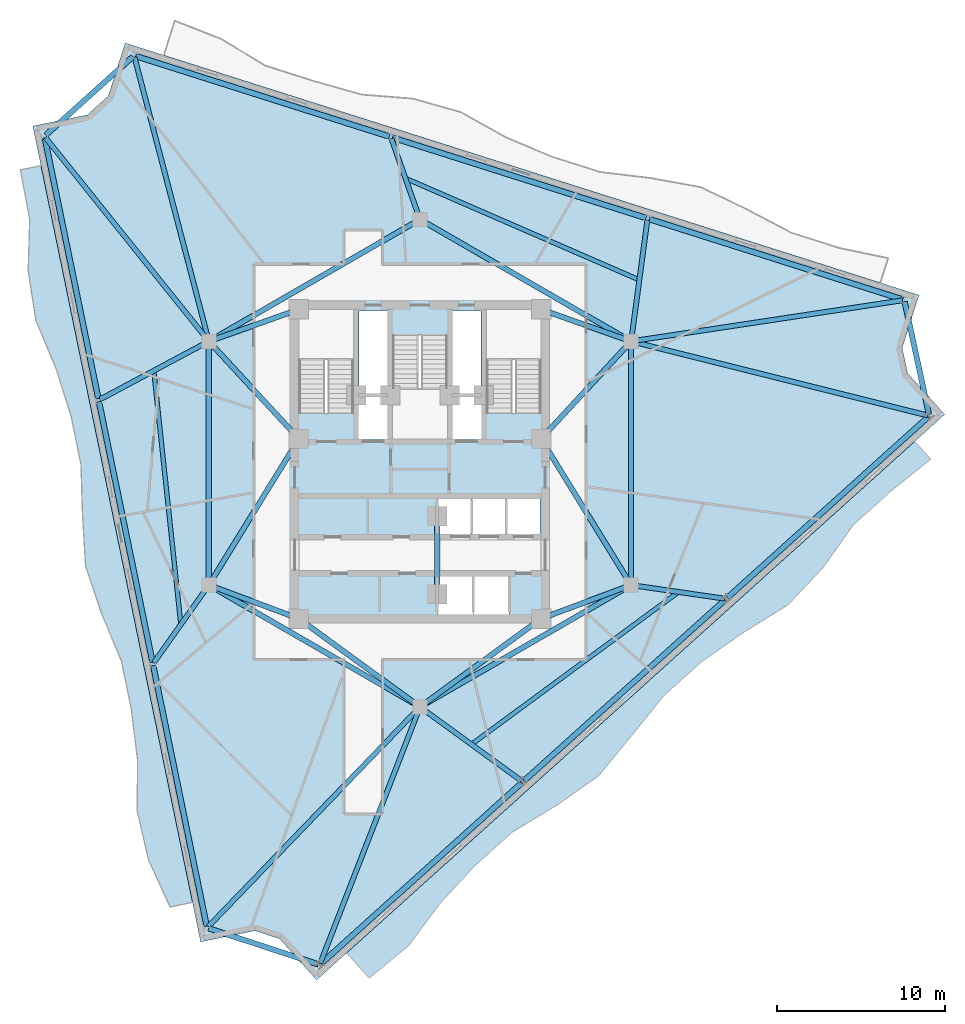
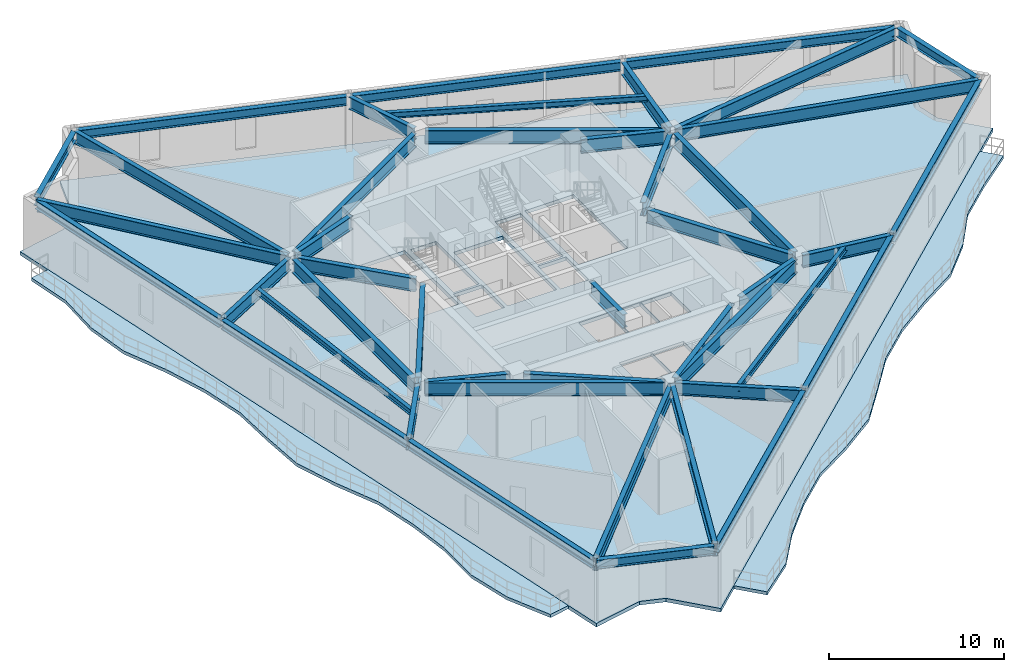
# One storey, part 4 of 12: 44 beams, 3 slabs.
"""IFC4 building model written with IfcOpenShell, lengths in metres."""

from ifc_helpers import new_model, si_unit, direction, frame, origin, origin_2d, place, context, subcontext, project, spatial, polyline, i_section, outline, extrude, material, layer, layer_set, material_profile, profile_set, type_object, element, save


model = new_model("IFC4")

# Units and contexts
model_context = context("Model", 3, precision=1e-05, world=origin(), true_north=direction((0.0, 1.0)))
body_context = subcontext(model_context, "Body", "Model", "MODEL_VIEW")
ifc_project = project(units=[si_unit("LENGTHUNIT", "METRE"), si_unit("AREAUNIT", "SQUARE_METRE"), si_unit("VOLUMEUNIT", "CUBIC_METRE"), si_unit("PLANEANGLEUNIT", "RADIAN"), si_unit("MASSUNIT", "GRAM", prefix="KILO")], contexts=[model_context])

# Site, building, storey
site_placement = place(None, origin())
site = spatial("IfcSite", under=ifc_project, at=site_placement, CompositionType="ELEMENT")
building_placement = place(site_placement, origin())
building = spatial("IfcBuilding", under=site, at=building_placement, Name="Apsidion Concourse Tower", CompositionType="ELEMENT")
storey_placement = place(building_placement, frame((0.0, 0.0, 232.199951171875)))
storey = spatial("IfcBuildingStorey", under=building, at=storey_placement, Name="L54", CompositionType="ELEMENT", Elevation=232.199951171875)

# Beams
ifc_material_1 = material(Name="Structural steel ASTM A992 Grade 50", Category="steel")
ifc_material_profile_1 = material_profile(ifc_material_1, i_section(OverallWidth=0.260009765625, OverallDepth=0.4150390625, WebThickness=0.010009765625, FlangeThickness=0.016845703125, at=origin_2d()), Name="W16X67")
ifc_profile_set_1 = profile_set([ifc_material_profile_1], Name="Structural steel ASTM A992 Grade 50")
beam_type_1 = type_object("IfcBeamType", Name="BM-FL-W16H", PredefinedType="BEAM", material=ifc_profile_set_1)
beam_1_placement = place(storey_placement, frame((-15.83642578125, 5.500732421875, 3.642578125), z_axis=(0.106172030497, -0.994347776153, 0.0), x_axis=(0.994347776153, 0.106172030497, 0.0)))
element("IfcBeam", 1, at=beam_1_placement, inside=storey, type_object=beam_type_1, Name="L54 Secondary Floor Beam SEC-F1", PredefinedType="BEAM", context=body_context, shape_type="SweptSolid", body=[
    extrude(i_section(OverallWidth=0.260009765625, OverallDepth=0.4150390625, WebThickness=0.010009765625, FlangeThickness=0.016845703125, at=origin_2d()), origin(), (0.0, 0.0, 1.0), 15.18359375),
])
beam_2_placement = place(storey_placement, frame((3.060791015625, -16.727294921875, 3.642578125), z_axis=(0.80548434449, 0.592617052389, 0.0), x_axis=(-0.592617052389, 0.80548434449, 0.0)))
element("IfcBeam", 2, at=beam_2_placement, inside=storey, type_object=beam_type_1, Name="L54 Secondary Floor Beam SEC-F2", PredefinedType="BEAM", context=body_context, shape_type="SweptSolid", body=[
    extrude(i_section(OverallWidth=0.260009765625, OverallDepth=0.4150390625, WebThickness=0.010009765625, FlangeThickness=0.016845703125, at=origin_2d()), origin(), (0.0, 0.0, 1.0), 15.301025390625),
])
beam_3_placement = place(storey_placement, frame((13.049560546875, 10.901611328125, 3.642578125), z_axis=(-0.917117371842, 0.398617267897, 0.0), x_axis=(-0.398617267897, -0.917117371842, 0.0)))
element("IfcBeam", 3, at=beam_3_placement, inside=storey, type_object=beam_type_1, Name="L54 Secondary Floor Beam SEC-F3", PredefinedType="BEAM", context=body_context, shape_type="SweptSolid", body=[
    extrude(i_section(OverallWidth=0.260009765625, OverallDepth=0.4150390625, WebThickness=0.010009765625, FlangeThickness=0.016845703125, at=origin_2d()), origin(), (0.0, 0.0, 1.0), 15.173828125),
])
ifc_material_profile_2 = material_profile(ifc_material_1, i_section(OverallWidth=0.2919921875, OverallDepth=0.85888671875, WebThickness=0.01708984375, FlangeThickness=0.031005859375, at=origin_2d()), Name="W33X169")
ifc_profile_set_2 = profile_set([ifc_material_profile_2], Name="Structural steel ASTM A992 Grade 50")
beam_type_2 = type_object("IfcBeamType", Name="BM-G-W33", PredefinedType="USERDEFINED", material=ifc_profile_set_2)
beam_4_placement = place(storey_placement, frame((-12.697509765625, 7.421630859375, 3.420654296875), z_axis=(-0.625472520241, 0.780246196033, 0.0), x_axis=(-0.780246196033, -0.625472520241, 0.0)))
element("IfcBeam", 4, at=beam_4_placement, inside=storey, type_object=beam_type_2, Name="L54 Radial Floor Girder RAD-01", ObjectType="GIRDER", PredefinedType="USERDEFINED", context=body_context, shape_type="SweptSolid", body=[
    extrude(i_section(OverallWidth=0.2919921875, OverallDepth=0.85888671875, WebThickness=0.01708984375, FlangeThickness=0.031005859375, at=origin_2d()), origin(), (0.0, 0.0, 1.0), 15.311767578125),
])
beam_5_placement = place(storey_placement, frame((-12.754150390625, 7.146484375, 3.420654296875), z_axis=(-0.88214083385, -0.470985720861, 0.0), x_axis=(0.470985720861, -0.88214083385, 0.0)))
element("IfcBeam", 5, at=beam_5_placement, inside=storey, type_object=beam_type_2, Name="L54 Radial Floor Girder RAD-02", ObjectType="GIRDER", PredefinedType="USERDEFINED", context=body_context, shape_type="SweptSolid", body=[
    extrude(i_section(OverallWidth=0.2919921875, OverallDepth=0.85888671875, WebThickness=0.01708984375, FlangeThickness=0.031005859375, at=origin_2d()), origin(), (0.0, 0.0, 1.0), 7.1083984375),
])
beam_6_placement = place(storey_placement, frame((-12.687255859375, -7.429443359375, 3.420654296875), z_axis=(-0.578459758238, -0.815710921895, 0.0), x_axis=(0.815710921895, -0.578459758238, 0.0)))
element("IfcBeam", 6, at=beam_6_placement, inside=storey, type_object=beam_type_2, Name="L54 Radial Floor Girder RAD-03", ObjectType="GIRDER", PredefinedType="USERDEFINED", context=body_context, shape_type="SweptSolid", body=[
    extrude(i_section(OverallWidth=0.2919921875, OverallDepth=0.85888671875, WebThickness=0.01708984375, FlangeThickness=0.031005859375, at=origin_2d()), origin(), (0.0, 0.0, 1.0), 5.434326171875),
])
beam_7_placement = place(storey_placement, frame((-0.152587890625, -14.658447265625, 3.420654296875), z_axis=(-0.693982841632, -0.719991538506, 0.0), x_axis=(0.719991538506, -0.693982841632, 0.0)))
element("IfcBeam", 7, at=beam_7_placement, inside=storey, type_object=beam_type_2, Name="L54 Radial Floor Girder RAD-04", ObjectType="GIRDER", PredefinedType="USERDEFINED", context=body_context, shape_type="SweptSolid", body=[
    extrude(i_section(OverallWidth=0.2919921875, OverallDepth=0.85888671875, WebThickness=0.01708984375, FlangeThickness=0.031005859375, at=origin_2d()), origin(), (0.0, 0.0, 1.0), 17.928955078125),
])
beam_8_placement = place(storey_placement, frame((-0.079833984375, -14.705078125, 3.420654296875), z_axis=(-0.36254845311, -0.931964923775, 0.0), x_axis=(0.931964923775, -0.36254845311, 0.0)))
element("IfcBeam", 8, at=beam_8_placement, inside=storey, type_object=beam_type_2, Name="L54 Radial Floor Girder RAD-05", ObjectType="GIRDER", PredefinedType="USERDEFINED", context=body_context, shape_type="SweptSolid", body=[
    extrude(i_section(OverallWidth=0.2919921875, OverallDepth=0.85888671875, WebThickness=0.01708984375, FlangeThickness=0.031005859375, at=origin_2d()), origin(), (0.0, 0.0, 1.0), 16.14013671875),
])
beam_9_placement = place(storey_placement, frame((0.177978515625, -14.62939453125, 3.420654296875), z_axis=(0.808567158699, -0.588403900288, 0.0), x_axis=(0.588403900288, 0.808567158699, 0.0)))
element("IfcBeam", 9, at=beam_9_placement, inside=storey, type_object=beam_type_2, Name="L54 Radial Floor Girder RAD-06", ObjectType="GIRDER", PredefinedType="USERDEFINED", context=body_context, shape_type="SweptSolid", body=[
    extrude(i_section(OverallWidth=0.2919921875, OverallDepth=0.85888671875, WebThickness=0.01708984375, FlangeThickness=0.031005859375, at=origin_2d()), origin(), (0.0, 0.0, 1.0), 7.251220703125),
])
beam_10_placement = place(storey_placement, frame((12.777587890625, -7.281494140625, 3.420654296875), z_axis=(0.98964652534, -0.143526147032, 0.0), x_axis=(0.143526147032, 0.98964652534, 0.0)))
element("IfcBeam", 10, at=beam_10_placement, inside=storey, type_object=beam_type_2, Name="L54 Radial Floor Girder RAD-07", ObjectType="GIRDER", PredefinedType="USERDEFINED", context=body_context, shape_type="SweptSolid", body=[
    extrude(i_section(OverallWidth=0.2919921875, OverallDepth=0.85888671875, WebThickness=0.01708984375, FlangeThickness=0.031005859375, at=origin_2d()), origin(), (0.0, 0.0, 1.0), 5.390625),
])
beam_11_placement = place(storey_placement, frame((12.7734375, 7.19677734375, 3.420654296875), z_axis=(0.97015368983, -0.242490861907, 0.0), x_axis=(0.242490861907, 0.97015368983, 0.0)))
element("IfcBeam", 11, at=beam_11_placement, inside=storey, type_object=beam_type_2, Name="L54 Radial Floor Girder RAD-08", ObjectType="GIRDER", PredefinedType="USERDEFINED", context=body_context, shape_type="SweptSolid", body=[
    extrude(i_section(OverallWidth=0.2919921875, OverallDepth=0.85888671875, WebThickness=0.01708984375, FlangeThickness=0.031005859375, at=origin_2d()), origin(), (0.0, 0.0, 1.0), 17.96630859375),
])
beam_12_placement = place(storey_placement, frame((12.777587890625, 7.282958984375, 3.420654296875), z_axis=(0.988774311252, 0.149416737377, 0.0), x_axis=(-0.149416737377, 0.988774311252, 0.0)))
element("IfcBeam", 12, at=beam_12_placement, inside=storey, type_object=beam_type_2, Name="L54 Radial Floor Girder RAD-09", ObjectType="GIRDER", PredefinedType="USERDEFINED", context=body_context, shape_type="SweptSolid", body=[
    extrude(i_section(OverallWidth=0.2919921875, OverallDepth=0.85888671875, WebThickness=0.01708984375, FlangeThickness=0.031005859375, at=origin_2d()), origin(), (0.0, 0.0, 1.0), 16.11572265625),
])
beam_13_placement = place(storey_placement, frame((12.589111328125, 7.468017578125, 3.420654296875), z_axis=(0.13290103696, 0.99112931264, 0.0), x_axis=(-0.99112931264, 0.13290103696, 0.0)))
element("IfcBeam", 13, at=beam_13_placement, inside=storey, type_object=beam_type_2, Name="L54 Radial Floor Girder RAD-10", ObjectType="GIRDER", PredefinedType="USERDEFINED", context=body_context, shape_type="SweptSolid", body=[
    extrude(i_section(OverallWidth=0.2919921875, OverallDepth=0.85888671875, WebThickness=0.01708984375, FlangeThickness=0.031005859375, at=origin_2d()), origin(), (0.0, 0.0, 1.0), 7.048583984375),
])
beam_14_placement = place(storey_placement, frame((-0.073486328125, 14.70751953125, 3.420654296875), z_axis=(-0.333398660175, 0.94278594251, 0.0), x_axis=(-0.94278594251, -0.333398660175, 0.0)))
element("IfcBeam", 14, at=beam_14_placement, inside=storey, type_object=beam_type_2, Name="L54 Radial Floor Girder RAD-11", ObjectType="GIRDER", PredefinedType="USERDEFINED", context=body_context, shape_type="SweptSolid", body=[
    extrude(i_section(OverallWidth=0.2919921875, OverallDepth=0.85888671875, WebThickness=0.01708984375, FlangeThickness=0.031005859375, at=origin_2d()), origin(), (0.0, 0.0, 1.0), 4.877685546875),
])
beam_15_placement = place(storey_placement, frame((-12.61572265625, 7.462890625, 3.420654296875), z_axis=(-0.253011847296, 0.967463180244, 0.0), x_axis=(-0.967463180244, -0.253011847296, 0.0)))
element("IfcBeam", 15, at=beam_15_placement, inside=storey, type_object=beam_type_2, Name="L54 Radial Floor Girder RAD-12", ObjectType="GIRDER", PredefinedType="USERDEFINED", context=body_context, shape_type="SweptSolid", body=[
    extrude(i_section(OverallWidth=0.2919921875, OverallDepth=0.85888671875, WebThickness=0.01708984375, FlangeThickness=0.031005859375, at=origin_2d()), origin(), (0.0, 0.0, 1.0), 17.249267578125),
])
ifc_material_profile_3 = material_profile(ifc_material_1, i_section(OverallWidth=0.31005859375, OverallDepth=0.931884765625, WebThickness=0.02099609375, FlangeThickness=0.034423828125, at=origin_2d()), Name="W36X210")
ifc_profile_set_3 = profile_set([ifc_material_profile_3], Name="Structural steel ASTM A992 Grade 50")
beam_type_3 = type_object("IfcBeamType", Name="BM-G-W36", PredefinedType="USERDEFINED", material=ifc_profile_set_3)
beam_16_placement = place(storey_placement, frame((-12.185302734375, -7.389892578125, 3.384033203125), z_axis=(0.936913021145, -0.349562570664, 0.0), x_axis=(0.349562570664, 0.936913021145, 0.0)))
element("IfcBeam", 16, at=beam_16_placement, inside=storey, type_object=beam_type_3, Name="L54 Core Coupling Girder IC1-SC1", ObjectType="GIRDER", PredefinedType="USERDEFINED", context=body_context, shape_type="SweptSolid", body=[
    extrude(i_section(OverallWidth=0.31005859375, OverallDepth=0.931884765625, WebThickness=0.02099609375, FlangeThickness=0.034423828125, at=origin_2d()), origin(), (0.0, 0.0, 1.0), 4.921142578125),
])
beam_17_placement = place(storey_placement, frame((-12.35009765625, -6.909423828125, 3.384033203125), z_axis=(0.524524009763, 0.851395656074, 0.0), x_axis=(-0.851395656074, 0.524524009763, 0.0)))
element("IfcBeam", 17, at=beam_17_placement, inside=storey, type_object=beam_type_3, Name="L54 Core Coupling Girder IC1-SC6", ObjectType="GIRDER", PredefinedType="USERDEFINED", context=body_context, shape_type="SweptSolid", body=[
    extrude(i_section(OverallWidth=0.31005859375, OverallDepth=0.931884765625, WebThickness=0.02099609375, FlangeThickness=0.034423828125, at=origin_2d()), origin(), (0.0, 0.0, 1.0), 9.41845703125),
])
beam_18_placement = place(storey_placement, frame((12.185302734375, -7.389892578125, 3.384033203125), z_axis=(-0.936913021145, -0.349562570664, 0.0), x_axis=(0.349562570664, -0.936913021145, 0.0)))
element("IfcBeam", 18, at=beam_18_placement, inside=storey, type_object=beam_type_3, Name="L54 Core Coupling Girder IC2-SC2", ObjectType="GIRDER", PredefinedType="USERDEFINED", context=body_context, shape_type="SweptSolid", body=[
    extrude(i_section(OverallWidth=0.31005859375, OverallDepth=0.931884765625, WebThickness=0.02099609375, FlangeThickness=0.034423828125, at=origin_2d()), origin(), (0.0, 0.0, 1.0), 4.921142578125),
])
beam_19_placement = place(storey_placement, frame((12.35009765625, -6.909423828125, 3.384033203125), z_axis=(-0.524524009763, 0.851395656074, 0.0), x_axis=(-0.851395656074, -0.524524009763, 0.0)))
element("IfcBeam", 19, at=beam_19_placement, inside=storey, type_object=beam_type_3, Name="L54 Core Coupling Girder IC2-SC3", ObjectType="GIRDER", PredefinedType="USERDEFINED", context=body_context, shape_type="SweptSolid", body=[
    extrude(i_section(OverallWidth=0.31005859375, OverallDepth=0.931884765625, WebThickness=0.02099609375, FlangeThickness=0.034423828125, at=origin_2d()), origin(), (0.0, 0.0, 1.0), 9.41845703125),
])
beam_20_placement = place(storey_placement, frame((12.28857421875, 6.956298828125, 3.384033203125), z_axis=(-0.678712876106, -0.73440372535, 0.0), x_axis=(0.73440372535, -0.678712876106, 0.0)))
element("IfcBeam", 20, at=beam_20_placement, inside=storey, type_object=beam_type_3, Name="L54 Core Coupling Girder IC3-SC3", ObjectType="GIRDER", PredefinedType="USERDEFINED", context=body_context, shape_type="SweptSolid", body=[
    extrude(i_section(OverallWidth=0.31005859375, OverallDepth=0.931884765625, WebThickness=0.02099609375, FlangeThickness=0.034423828125, at=origin_2d()), origin(), (0.0, 0.0, 1.0), 7.097412109375),
])
beam_21_placement = place(storey_placement, frame((12.18310546875, 7.383544921875, 3.384033203125), z_axis=(-0.942533844539, 0.334110688094, 0.0), x_axis=(-0.334110688094, -0.942533844539, 0.0)))
element("IfcBeam", 21, at=beam_21_placement, inside=storey, type_object=beam_type_3, Name="L54 Core Coupling Girder IC3-SC4", ObjectType="GIRDER", PredefinedType="USERDEFINED", context=body_context, shape_type="SweptSolid", body=[
    extrude(i_section(OverallWidth=0.31005859375, OverallDepth=0.931884765625, WebThickness=0.02099609375, FlangeThickness=0.034423828125, at=origin_2d()), origin(), (0.0, 0.0, 1.0), 4.886962890625),
])
beam_22_placement = place(storey_placement, frame((-12.28857421875, 6.956298828125, 3.384033203125), z_axis=(0.678712876106, -0.73440372535, 0.0), x_axis=(0.73440372535, 0.678712876106, 0.0)))
element("IfcBeam", 22, at=beam_22_placement, inside=storey, type_object=beam_type_3, Name="L54 Core Coupling Girder IC5-SC6", ObjectType="GIRDER", PredefinedType="USERDEFINED", context=body_context, shape_type="SweptSolid", body=[
    extrude(i_section(OverallWidth=0.31005859375, OverallDepth=0.931884765625, WebThickness=0.02099609375, FlangeThickness=0.034423828125, at=origin_2d()), origin(), (0.0, 0.0, 1.0), 7.097412109375),
])
beam_23_placement = place(storey_placement, frame((-12.18310546875, 7.383544921875, 3.384033203125), z_axis=(0.942533844539, 0.334110688094, 0.0), x_axis=(-0.334110688094, 0.942533844539, 0.0)))
element("IfcBeam", 23, at=beam_23_placement, inside=storey, type_object=beam_type_3, Name="L54 Core Coupling Girder IC5-SC5", ObjectType="GIRDER", PredefinedType="USERDEFINED", context=body_context, shape_type="SweptSolid", body=[
    extrude(i_section(OverallWidth=0.31005859375, OverallDepth=0.931884765625, WebThickness=0.02099609375, FlangeThickness=0.034423828125, at=origin_2d()), origin(), (0.0, 0.0, 1.0), 4.886962890625),
])
for number, where, z_axis, x_axis, name in (
    (24, (-0.3232421875, -14.264404296875, 3.384033203125), (-0.807993498909, 0.589191399905, 0.0), (-0.589191399905, -0.807993498909, 0.0), "L54 Core Coupling Girder IC6-SC1"),
    (25, (0.3232421875, -14.264404296875, 3.384033203125), (0.807993498909, 0.589191399905, 0.0), (-0.589191399905, 0.807993498909, 0.0), "L54 Core Coupling Girder IC6-SC2"),
):
    element("IfcBeam", number, at=place(storey_placement, frame(where, z_axis=z_axis, x_axis=x_axis)), inside=storey, type_object=beam_type_3, Name=name, ObjectType="GIRDER", PredefinedType="USERDEFINED", context=body_context, shape_type="SweptSolid", body=[
        extrude(i_section(OverallWidth=0.31005859375, OverallDepth=0.931884765625, WebThickness=0.02099609375, FlangeThickness=0.034423828125, at=origin_2d()), origin(), (0.0, 0.0, 1.0), 8.11083984375),
    ])
beam_24_placement = place(storey_placement, frame((-12.56005859375, -6.85009765625, 3.384033203125), z_axis=(0.0, 1.0, 0.0), x_axis=(-1.0, 0.0, 0.0)))
element("IfcBeam", 26, at=beam_24_placement, inside=storey, type_object=beam_type_3, Name="L54 Core Coupling Girder IC1-IC5", ObjectType="GIRDER", PredefinedType="USERDEFINED", context=body_context, shape_type="SweptSolid", body=[
    extrude(i_section(OverallWidth=0.31005859375, OverallDepth=0.931884765625, WebThickness=0.02099609375, FlangeThickness=0.034423828125, at=origin_2d()), origin(), (0.0, 0.0, 1.0), 13.7001953125),
])
for number, where, z_axis, x_axis, name in (
    (27, (-12.213623046875, 7.449951171875, 3.384033203125), (0.866070471464, 0.499921932364, 0.0), (-0.499921932364, 0.866070471464, 0.0), "L54 Core Coupling Girder IC5-IC4"),
    (28, (0.346435546875, 14.300048828125, 3.384033203125), (0.866070471464, -0.499921932364, 0.0), (0.499921932364, 0.866070471464, 0.0), "L54 Core Coupling Girder IC4-IC3"),
):
    element("IfcBeam", number, at=place(storey_placement, frame(where, z_axis=z_axis, x_axis=x_axis)), inside=storey, type_object=beam_type_3, Name=name, ObjectType="GIRDER", PredefinedType="USERDEFINED", context=body_context, shape_type="SweptSolid", body=[
        extrude(i_section(OverallWidth=0.31005859375, OverallDepth=0.931884765625, WebThickness=0.02099609375, FlangeThickness=0.034423828125, at=origin_2d()), origin(), (0.0, 0.0, 1.0), 13.702392578125),
    ])
beam_25_placement = place(storey_placement, frame((12.56005859375, 6.85009765625, 3.384033203125), z_axis=(0.0, -1.0, 0.0), x_axis=(1.0, 0.0, 0.0)))
element("IfcBeam", 29, at=beam_25_placement, inside=storey, type_object=beam_type_3, Name="L54 Core Coupling Girder IC3-IC2", ObjectType="GIRDER", PredefinedType="USERDEFINED", context=body_context, shape_type="SweptSolid", body=[
    extrude(i_section(OverallWidth=0.31005859375, OverallDepth=0.931884765625, WebThickness=0.02099609375, FlangeThickness=0.034423828125, at=origin_2d()), origin(), (0.0, 0.0, 1.0), 13.7001953125),
])
for number, where, z_axis, x_axis, name in (
    (30, (12.213623046875, -7.449951171875, 3.384033203125), (-0.866070471464, -0.499921932364, 0.0), (0.499921932364, -0.866070471464, 0.0), "L54 Core Coupling Girder IC2-IC6"),
    (31, (-0.346435546875, -14.300048828125, 3.384033203125), (-0.866070471464, 0.499921932364, 0.0), (-0.499921932364, -0.866070471464, 0.0), "L54 Core Coupling Girder IC6-IC1"),
):
    element("IfcBeam", number, at=place(storey_placement, frame(where, z_axis=z_axis, x_axis=x_axis)), inside=storey, type_object=beam_type_3, Name=name, ObjectType="GIRDER", PredefinedType="USERDEFINED", context=body_context, shape_type="SweptSolid", body=[
        extrude(i_section(OverallWidth=0.31005859375, OverallDepth=0.931884765625, WebThickness=0.02099609375, FlangeThickness=0.034423828125, at=origin_2d()), origin(), (0.0, 0.0, 1.0), 13.702392578125),
    ])
beam_26_placement = place(storey_placement, frame((1.02490234375, -3.550048828125, 3.384033203125), z_axis=(0.0, -1.0, 0.0), x_axis=(1.0, 0.0, 0.0)))
element("IfcBeam", 32, at=beam_26_placement, inside=storey, type_object=beam_type_3, Name="L54 Core Coupling Girder CC5-CC6", ObjectType="GIRDER", PredefinedType="USERDEFINED", context=body_context, shape_type="SweptSolid", body=[
    extrude(i_section(OverallWidth=0.31005859375, OverallDepth=0.931884765625, WebThickness=0.02099609375, FlangeThickness=0.034423828125, at=origin_2d()), origin(), (0.0, 0.0, 1.0), 3.849853515625),
])
ifc_material_profile_4 = material_profile(ifc_material_1, i_section(OverallWidth=0.324951171875, OverallDepth=0.616943359375, WebThickness=0.013916015625, FlangeThickness=0.021484375, at=origin_2d()), Name="W24X117")
ifc_profile_set_4 = profile_set([ifc_material_profile_4], Name="Structural steel ASTM A992 Grade 50")
beam_type_4 = type_object("IfcBeamType", Name="BM-SP-W24", PredefinedType="SPANDREL", material=ifc_profile_set_4)
beam_27_placement = place(storey_placement, frame((-22.317138671875, 19.3486328125, 3.54150390625), z_axis=(0.201231912796, -0.979543627039, 0.0), x_axis=(0.979543627039, 0.201231912796, 0.0)))
element("IfcBeam", 33, at=beam_27_placement, inside=storey, type_object=beam_type_4, Name="L54 Perimeter Spandrel Girder SP-01", PredefinedType="SPANDREL", context=body_context, shape_type="SweptSolid", body=[
    extrude(i_section(OverallWidth=0.324951171875, OverallDepth=0.616943359375, WebThickness=0.013916015625, FlangeThickness=0.021484375, at=origin_2d()), origin(), (0.0, 0.0, 1.0), 15.822998046875),
])
beam_28_placement = place(storey_placement, frame((-19.0927734375, 3.6533203125, 3.54150390625), z_axis=(0.201234954239, -0.979543002217, 0.0), x_axis=(0.979543002217, 0.201234954239, 0.0)))
element("IfcBeam", 34, at=beam_28_placement, inside=storey, type_object=beam_type_4, Name="L54 Perimeter Spandrel Girder SP-02", PredefinedType="SPANDREL", context=body_context, shape_type="SweptSolid", body=[
    extrude(i_section(OverallWidth=0.324951171875, OverallDepth=0.616943359375, WebThickness=0.013916015625, FlangeThickness=0.021484375, at=origin_2d()), origin(), (0.0, 0.0, 1.0), 15.82275390625),
])
beam_29_placement = place(storey_placement, frame((-15.86865234375, -12.041748046875, 3.54150390625), z_axis=(0.201231912796, -0.979543627039, 0.0), x_axis=(0.979543627039, 0.201231912796, 0.0)))
element("IfcBeam", 35, at=beam_29_placement, inside=storey, type_object=beam_type_4, Name="L54 Perimeter Spandrel Girder SP-03", PredefinedType="SPANDREL", context=body_context, shape_type="SweptSolid", body=[
    extrude(i_section(OverallWidth=0.324951171875, OverallDepth=0.616943359375, WebThickness=0.013916015625, FlangeThickness=0.021484375, at=origin_2d()), origin(), (0.0, 0.0, 1.0), 15.822998046875),
])
beam_30_placement = place(storey_placement, frame((-12.5693359375, -27.67041015625, 3.54150390625), z_axis=(0.950000938621, -0.312247044211, 0.0), x_axis=(0.312247044211, 0.950000938621, 0.0)))
element("IfcBeam", 36, at=beam_30_placement, inside=storey, type_object=beam_type_4, Name="L54 Perimeter Spandrel Girder SP-04", PredefinedType="SPANDREL", context=body_context, shape_type="SweptSolid", body=[
    extrude(i_section(OverallWidth=0.324951171875, OverallDepth=0.616943359375, WebThickness=0.013916015625, FlangeThickness=0.021484375, at=origin_2d()), origin(), (0.0, 0.0, 1.0), 6.849365234375),
])
for number, where, z_axis, x_axis, name in (
    (37, (-5.893310546875, -29.773193359375, 3.54150390625), (0.743150581284, 0.669124213833, 0.0), (-0.669124213833, 0.743150581284, 0.0), "L54 Perimeter Spandrel Girder SP-05"),
    (38, (6.196044921875, -18.887939453125, 3.54150390625), (0.743150581284, 0.669124213833, 0.0), (-0.669124213833, 0.743150581284, 0.0), "L54 Perimeter Spandrel Girder SP-06"),
    (39, (18.285400390625, -8.002685546875, 3.54150390625), (0.743150581284, 0.669124213833, 0.0), (-0.669124213833, 0.743150581284, 0.0), "L54 Perimeter Spandrel Girder SP-07"),
):
    element("IfcBeam", number, at=place(storey_placement, frame(where, z_axis=z_axis, x_axis=x_axis)), inside=storey, type_object=beam_type_4, Name=name, PredefinedType="SPANDREL", context=body_context, shape_type="SweptSolid", body=[
        extrude(i_section(OverallWidth=0.324951171875, OverallDepth=0.616943359375, WebThickness=0.013916015625, FlangeThickness=0.021484375, at=origin_2d()), origin(), (0.0, 0.0, 1.0), 16.06787109375),
    ])
beam_31_placement = place(storey_placement, frame((30.279541015625, 2.91357421875, 3.54150390625), z_axis=(-0.211269287353, 0.977427894129, 0.0), x_axis=(-0.977427894129, -0.211269287353, 0.0)))
element("IfcBeam", 40, at=beam_31_placement, inside=storey, type_object=beam_type_4, Name="L54 Perimeter Spandrel Girder SP-08", PredefinedType="SPANDREL", context=body_context, shape_type="SweptSolid", body=[
    extrude(i_section(OverallWidth=0.324951171875, OverallDepth=0.616943359375, WebThickness=0.013916015625, FlangeThickness=0.021484375, at=origin_2d()), origin(), (0.0, 0.0, 1.0), 6.84912109375),
])
for number, where, z_axis, x_axis, name in (
    (41, (28.716064453125, 9.736083984375, 3.54150390625), (-0.953145595639, 0.302511939458, 0.0), (-0.302511939458, -0.953145595639, 0.0), "L54 Perimeter Spandrel Girder SP-09"),
    (42, (13.44384765625, 14.58349609375, 3.54150390625), (-0.953145595639, 0.302511939458, 0.0), (-0.302511939458, -0.953145595639, 0.0), "L54 Perimeter Spandrel Girder SP-10"),
    (43, (-1.828369140625, 19.4306640625, 3.54150390625), (-0.953145595639, 0.302511939458, 0.0), (-0.302511939458, -0.953145595639, 0.0), "L54 Perimeter Spandrel Girder SP-11"),
):
    element("IfcBeam", number, at=place(storey_placement, frame(where, z_axis=z_axis, x_axis=x_axis)), inside=storey, type_object=beam_type_4, Name=name, PredefinedType="SPANDREL", context=body_context, shape_type="SweptSolid", body=[
        extrude(i_section(OverallWidth=0.324951171875, OverallDepth=0.616943359375, WebThickness=0.013916015625, FlangeThickness=0.021484375, at=origin_2d()), origin(), (0.0, 0.0, 1.0), 15.822998046875),
    ])
beam_32_placement = place(storey_placement, frame((-17.07958984375, 24.1806640625, 3.54150390625), z_axis=(-0.743153149962, -0.669121360966, 0.0), x_axis=(0.669121360966, -0.743153149962, 0.0)))
element("IfcBeam", 44, at=beam_32_placement, inside=storey, type_object=beam_type_4, Name="L54 Perimeter Spandrel Girder SP-12", PredefinedType="SPANDREL", context=body_context, shape_type="SweptSolid", body=[
    extrude(i_section(OverallWidth=0.324951171875, OverallDepth=0.616943359375, WebThickness=0.013916015625, FlangeThickness=0.021484375, at=origin_2d()), origin(), (0.0, 0.0, 1.0), 6.974853515625),
])

# Slabs
ifc_material_2 = material(Name="Concrete C50/60", Category="concrete")
ifc_layer_1 = layer(ifc_material_2, 0.219970703125)
ifc_layer_set_1 = layer_set([ifc_layer_1], Name="Concrete C50/60")
slab_type_1 = type_object("IfcSlabType", Name="SL-BAL-220", PredefinedType="FLOOR", material=ifc_layer_set_1)
slab_1_placement = place(storey_placement, frame((0.0, 0.0, -0.219970703125)))
element("IfcSlab", 45, at=slab_1_placement, inside=storey, type_object=slab_type_1, Name="L54 Face 1 Rippling Balcony Slab", PredefinedType="FLOOR", context=body_context, shape_type="SweptSolid", body=[
    extrude(outline(polyline([(-22.54541015625, 17.70361328125), (-21.9443359375, 14.781494140625), (-21.343505859375, 11.859619140625), (-20.74267578125, 8.93798828125), (-20.141845703125, 6.01611328125), (-19.541015625, 3.093994140625), (-18.940185546875, 0.17236328125), (-18.339111328125, -2.74951171875), (-17.73828125, -5.67138671875), (-17.137451171875, -8.593505859375), (-16.53662109375, -11.51513671875), (-15.935791015625, -14.43701171875), (-15.3349609375, -17.35888671875), (-14.734130859375, -20.28076171875), (-14.13330078125, -23.20263671875), (-13.5322265625, -26.12451171875), (-14.866943359375, -26.39892578125), (-16.1416015625, -23.61572265625), (-16.817138671875, -20.709228515625), (-16.80224609375, -17.66064453125), (-17.16015625, -14.68896484375), (-17.760986328125, -11.76708984375), (-18.93408203125, -8.962890625), (-19.892333984375, -6.114501953125), (-20.073486328125, -3.106201171875), (-20.16455078125, -0.07958984375), (-20.765380859375, 2.84228515625), (-21.677001953125, 5.7001953125), (-22.85400390625, 8.503662109375), (-23.305908203125, 11.456298828125), (-23.215087890625, 14.520263671875), (-23.769775390625, 17.45166015625), (-22.54541015625, 17.70361328125)])), origin(), (0.0, 0.0, 1.0), 0.219970703125),
])
slab_2_placement = place(storey_placement, frame((0.0, 0.0, -0.219970703125)))
element("IfcSlab", 46, at=slab_2_placement, inside=storey, type_object=slab_type_1, Name="L54 Face 2 Rippling Balcony Slab", PredefinedType="FLOOR", context=body_context, shape_type="SweptSolid", body=[
    extrude(outline(polyline([(-4.364501953125, -29.136962890625), (-2.111328125, -27.108154296875), (0.141845703125, -25.079345703125), (2.39501953125, -23.050537109375), (4.648193359375, -21.021728515625), (6.901611328125, -18.992919921875), (9.15478515625, -16.964111328125), (11.407958984375, -14.935302734375), (13.6611328125, -12.906494140625), (15.914306640625, -10.877685546875), (18.16748046875, -8.848876953125), (20.420654296875, -6.820068359375), (22.673828125, -4.791259765625), (24.927001953125, -2.762451171875), (27.180419921875, -0.733642578125), (29.43359375, 1.295166015625), (30.382568359375, 0.2412109375), (28.016845703125, -1.66259765625), (25.763671875, -3.69140625), (23.968994140625, -6.2294921875), (21.87890625, -8.439453125), (19.25927734375, -10.061279296875), (16.750732421875, -11.806640625), (14.49755859375, -13.83544921875), (12.57568359375, -16.232177734375), (10.62548828125, -18.59765625), (8.1298828125, -20.357421875), (5.484619140625, -21.95068359375), (3.2314453125, -23.9794921875), (1.168212890625, -26.218994140625), (-0.674560546875, -28.7041015625), (-3.02001953125, -30.63037109375), (-4.364501953125, -29.136962890625)])), origin(), (0.0, 0.0, 1.0), 0.219970703125),
])
ifc_layer_2 = layer(ifc_material_2, 0.25)
ifc_layer_set_2 = layer_set([ifc_layer_2], Name="Concrete C50/60")
slab_type_2 = type_object("IfcSlabType", Name="SL-FLR-250", PredefinedType="FLOOR", material=ifc_layer_set_2)
slab_3_placement = place(storey_placement, frame((0.0, 0.0, -0.25)))
element("IfcSlab", 47, at=slab_3_placement, inside=storey, type_object=slab_type_2, Name="L54 Structural Floor Slab", PredefinedType="FLOOR", context=body_context, shape_type="SweptSolid", body=[
    extrude(outline(polyline([(-17.537353515625, 24.998779296875), (-18.535400390625, 21.8564453125), (-19.79931640625, 20.718505859375), (-23.02880859375, 20.05419921875), (-13.048828125, -28.475341796875), (-9.819580078125, -27.811279296875), (-8.354248046875, -28.292724609375), (-6.148193359375, -30.742919921875), (31.217041015625, 2.90087890625), (29.010986328125, 5.35107421875), (28.685302734375, 6.858642578125), (29.683349609375, 10.0009765625), (-17.537353515625, 24.998779296875)]), holes=[polyline([(-3.949951171875, 3.0), (-3.949951171875, 9.14990234375), (-7.199951171875, 9.14990234375), (-7.199951171875, 3.0), (-3.949951171875, 3.0)]), polyline([(7.199951171875, 3.0), (7.199951171875, 9.14990234375), (3.949951171875, 9.14990234375), (3.949951171875, 3.0), (7.199951171875, 3.0)]), polyline([(-1.625, 7.60009765625), (-1.625, 1.449951171875), (1.625, 1.449951171875), (1.625, 7.60009765625), (-1.625, 7.60009765625)]), polyline([(1.054931640625, -4.300048828125), (3.044921875, -4.300048828125), (3.044921875, -2.050048828125), (1.054931640625, -2.050048828125), (1.054931640625, -4.300048828125)]), polyline([(3.10498046875, -4.300048828125), (5.094970703125, -4.300048828125), (5.094970703125, -2.050048828125), (3.10498046875, -2.050048828125), (3.10498046875, -4.300048828125)]), polyline([(5.155029296875, -4.300048828125), (7.14501953125, -4.300048828125), (7.14501953125, -2.050048828125), (5.155029296875, -2.050048828125), (5.155029296875, -4.300048828125)]), polyline([(1.044921875, -9.0), (3.155029296875, -9.0), (3.155029296875, -6.64990234375), (1.044921875, -6.64990234375), (1.044921875, -9.0)]), polyline([(3.195068359375, -9.0), (5.304931640625, -9.0), (5.304931640625, -6.64990234375), (3.195068359375, -6.64990234375), (3.195068359375, -9.0)]), polyline([(-3.7099609375, 1.39990234375), (-1.85009765625, 1.39990234375), (-1.85009765625, 4.0), (-3.7099609375, 4.0), (-3.7099609375, 1.39990234375)]), polyline([(1.85009765625, 1.39990234375), (3.7099609375, 1.39990234375), (3.7099609375, 4.0), (1.85009765625, 4.0), (1.85009765625, 1.39990234375)]), polyline([(-3.6201171875, 4.14990234375), (-1.93994140625, 4.14990234375), (-1.93994140625, 9.050048828125), (-3.6201171875, 9.050048828125), (-3.6201171875, 4.14990234375)]), polyline([(1.93994140625, 4.14990234375), (3.6201171875, 4.14990234375), (3.6201171875, 9.050048828125), (1.93994140625, 9.050048828125), (1.93994140625, 4.14990234375)])]), origin(), (0.0, 0.0, 1.0), 0.25),
])

save(model, "model.ifc")
